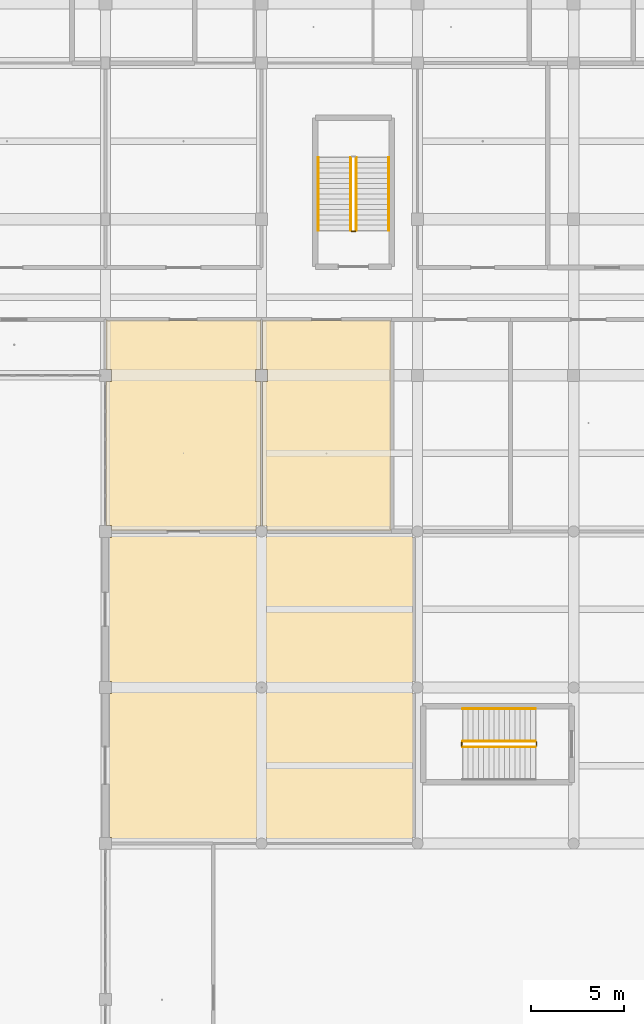
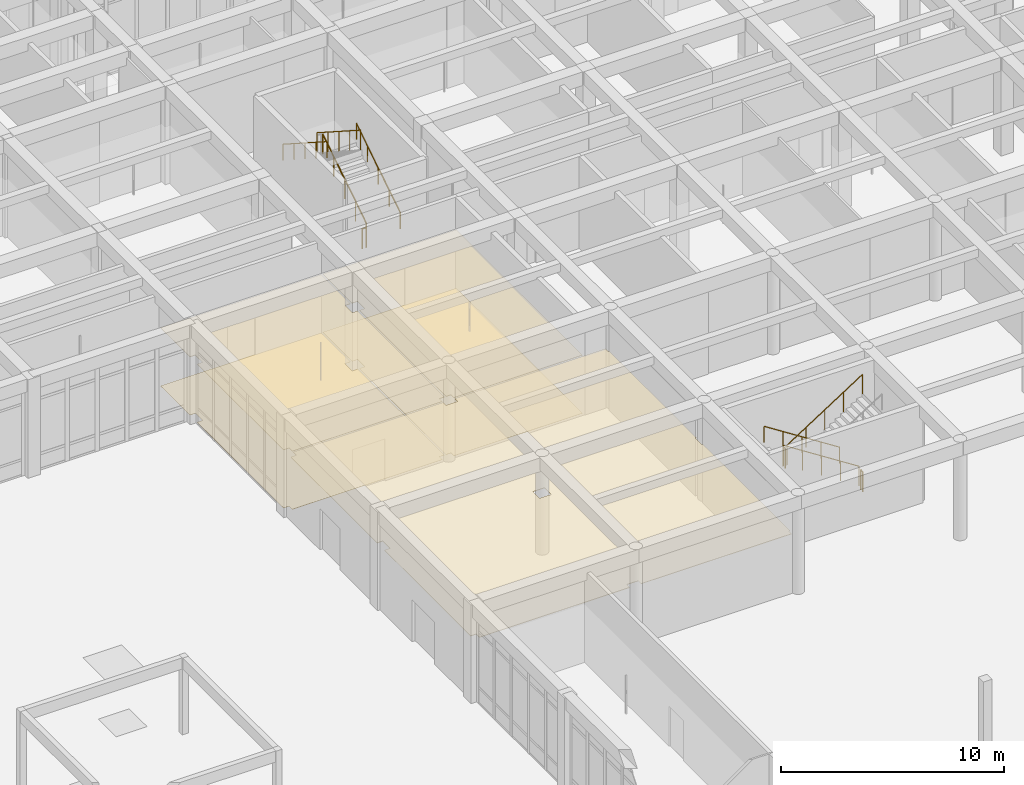
# One storey, part 153 of 167: 10 railings, 5 coverings.
"""IFC4 building model written with IfcOpenShell, lengths in metres."""

from ifc_helpers import new_model, si_unit, direction, frame, origin, origin_2d, place, context, subcontext, project, spatial, polyline, circle, outline, extrude, material, layer, layer_set, type_object, element, save


model = new_model("IFC4")

# Units and contexts
model_context = context("Model", 3, precision=1e-05, world=origin(), true_north=direction((0.0, 1.0)))
body_context = subcontext(model_context, "Body", "Model", "MODEL_VIEW")
ifc_project = project(units=[si_unit("LENGTHUNIT", "METRE"), si_unit("AREAUNIT", "SQUARE_METRE"), si_unit("VOLUMEUNIT", "CUBIC_METRE"), si_unit("PLANEANGLEUNIT", "RADIAN"), si_unit("MASSUNIT", "GRAM", prefix="KILO")], contexts=[model_context])

# Site, building, storey
site_placement = place(None, origin())
site = spatial("IfcSite", under=ifc_project, at=site_placement, CompositionType="ELEMENT")
building_placement = place(site_placement, origin())
building = spatial("IfcBuilding", under=site, at=building_placement, Name="Varncliffe General Hospital", CompositionType="ELEMENT")
storey_placement = place(building_placement, origin())
storey = spatial("IfcBuildingStorey", under=building, at=storey_placement, Name="L00", CompositionType="ELEMENT", Elevation=0.0)

# Coverings
ifc_material_1 = material(Name="Hygienic antimicrobial acoustic suspended ceiling tile", Category="gypsum")
ifc_layer_1 = layer(ifc_material_1, 0.02490234375)
ifc_layer_set_1 = layer_set([ifc_layer_1], Name="Hygienic antimicrobial acoustic suspended ceiling tile")
covering_type_1 = type_object("IfcCoveringType", Name="Antimicrobial Acoustic Suspended Ceiling CLG44", PredefinedType="CEILING", material=ifc_layer_set_1)
covering_1_placement = place(storey_placement, frame((0.0, 0.0, 3.175048828125)))
element("IfcCovering", 1, at=covering_1_placement, inside=storey, type_object=covering_type_1, Name="L00 Winter-Garden Diagnostic Reception Lounge Suspended Ceiling", PredefinedType="CEILING", context=body_context, shape_type="SweptSolid", body=[
    extrude(outline(polyline([(59.125, 57.639892578125), (59.125, 57.925048828125), (58.840087890625, 57.925048828125), (58.840087890625, 65.675048828125), (59.125, 65.675048828125), (59.125, 66.324951171875), (58.840087890625, 66.324951171875), (58.840087890625, 74.074951171875), (59.125, 74.074951171875), (59.125, 74.360107421875), (66.89990234375, 74.360107421875), (66.89990234375, 74.10009765625), (67.5, 74.10009765625), (67.5, 74.360107421875), (75.300048828125, 74.360107421875), (75.300048828125, 74.10009765625), (75.360107421875, 74.10009765625), (75.360107421875, 66.300048828125), (75.300048828125, 66.300048828125), (75.300048828125, 65.699951171875), (75.360107421875, 65.699951171875), (75.360107421875, 57.89990234375), (75.300048828125, 57.89990234375), (75.300048828125, 57.639892578125), (67.5, 57.639892578125), (67.5, 57.89990234375), (66.89990234375, 57.89990234375), (66.89990234375, 57.639892578125), (59.125, 57.639892578125)]), holes=[polyline([(67.5, 65.699951171875), (67.5, 66.300048828125), (66.89990234375, 66.300048828125), (66.89990234375, 65.699951171875), (67.5, 65.699951171875)])]), origin(), (0.0, 0.0, 1.0), 0.02490234375),
])
covering_2_placement = place(storey_placement, frame((0.0, 0.0, 3.175048828125)))
element("IfcCovering", 2, at=covering_2_placement, inside=storey, type_object=covering_type_1, Name="L00 Diagnostic Fluoroscopy and X-Ray Suite 68 Suspended Ceiling", PredefinedType="CEILING", context=body_context, shape_type="SweptSolid", body=[
    extrude(outline(polyline([(66.89990234375, 74.699951171875), (66.89990234375, 74.43994140625), (59.125, 74.43994140625), (59.125, 74.72509765625), (58.840087890625, 74.72509765625), (58.840087890625, 82.47509765625), (59.125, 82.47509765625), (59.125, 83.125), (58.840087890625, 83.125), (58.840087890625, 85.760009765625), (67.159912109375, 85.760009765625), (67.159912109375, 83.125), (66.875, 83.125), (66.875, 82.47509765625), (67.159912109375, 82.47509765625), (67.159912109375, 74.699951171875), (66.89990234375, 74.699951171875)])), origin(), (0.0, 0.0, 1.0), 0.02490234375),
])
covering_3_placement = place(storey_placement, frame((0.0, 0.0, 3.175048828125)))
element("IfcCovering", 3, at=covering_3_placement, inside=storey, type_object=covering_type_1, Name="L00 Sterile Dispatch and Surgical Prep Room 69 Suspended Ceiling", PredefinedType="CEILING", context=body_context, shape_type="SweptSolid", body=[
    extrude(outline(polyline([(74.159912109375, 85.760009765625), (74.159912109375, 74.43994140625), (67.5, 74.43994140625), (67.5, 74.699951171875), (67.239990234375, 74.699951171875), (67.239990234375, 82.47509765625), (67.52490234375, 82.47509765625), (67.52490234375, 83.125), (67.239990234375, 83.125), (67.239990234375, 85.760009765625), (74.159912109375, 85.760009765625)])), origin(), (0.0, 0.0, 1.0), 0.02490234375),
])
ifc_material_2 = material(Name="Seamless welded hospital sheet linoleum and terrazzo flooring", Category="linoleum")
ifc_layer_2 = layer(ifc_material_2, 0.011962890625)
ifc_layer_set_2 = layer_set([ifc_layer_2], Name="Seamless welded hospital sheet linoleum and terrazzo flooring")
covering_type_2 = type_object("IfcCoveringType", Name="Seamless Hospital Linoleum Flooring FLR19", PredefinedType="FLOORING", material=ifc_layer_set_2)
covering_4_placement = place(storey_placement, origin())
element("IfcCovering", 4, at=covering_4_placement, inside=storey, type_object=covering_type_2, Name="L00 Diagnostic Fluoroscopy and X-Ray Suite 68 Seamless Flooring", PredefinedType="FLOORING", context=body_context, shape_type="SweptSolid", body=[
    extrude(outline(polyline([(66.89990234375, 74.699951171875), (66.89990234375, 74.43994140625), (59.125, 74.43994140625), (59.125, 74.72509765625), (58.840087890625, 74.72509765625), (58.840087890625, 82.47509765625), (59.125, 82.47509765625), (59.125, 83.125), (58.840087890625, 83.125), (58.840087890625, 85.760009765625), (67.159912109375, 85.760009765625), (67.159912109375, 83.125), (66.875, 83.125), (66.875, 82.47509765625), (67.159912109375, 82.47509765625), (67.159912109375, 74.699951171875), (66.89990234375, 74.699951171875)])), origin(), (0.0, 0.0, 1.0), 0.011962890625),
])
covering_5_placement = place(storey_placement, origin())
element("IfcCovering", 5, at=covering_5_placement, inside=storey, type_object=covering_type_2, Name="L00 Sterile Dispatch and Surgical Prep Room 69 Seamless Flooring", PredefinedType="FLOORING", context=body_context, shape_type="SweptSolid", body=[
    extrude(outline(polyline([(74.159912109375, 85.760009765625), (74.159912109375, 74.43994140625), (67.5, 74.43994140625), (67.5, 74.699951171875), (67.239990234375, 74.699951171875), (67.239990234375, 82.47509765625), (67.52490234375, 82.47509765625), (67.52490234375, 83.125), (67.239990234375, 83.125), (67.239990234375, 85.760009765625), (74.159912109375, 85.760009765625)])), origin(), (0.0, 0.0, 1.0), 0.011962890625),
])

# Railings
ifc_material_3 = material(Name="Powder-coated hospital steel guardrail and handrail", Category="steel")
railing_type_1 = type_object("IfcRailingType", Name="Stair and Ramp Handrail HR46", PredefinedType="HANDRAIL", material=ifc_material_3)
railing_1_placement = place(storey_placement, frame((74.050048828125, 90.60009765625, 0.364013671875)))
element("IfcRailing", 6, at=railing_1_placement, inside=storey, type_object=railing_type_1, Name="L00 ST12 stair handrail 1", PredefinedType="HANDRAIL", context=body_context, shape_type="SweptSolid", body=[
    extrude(circle(Radius=0.02392578125, at=origin_2d()), frame((0.0, 0.0, 0.8759765625), z_axis=(0.0, 0.841171666519, 0.540768182723), x_axis=(-1.0, 0.0, 0.0)), (0.0, 0.0, 1.0), 4.66015625),
    extrude(circle(Radius=0.02099609375, at=origin_2d()), origin(), (0.0, 0.0, 1.0), 0.851806640625),
    extrude(circle(Radius=0.02099609375, at=origin_2d()), frame((0.0, 0.97998046875, 0.6298828125)), (0.0, 0.0, 1.0), 0.851806640625),
    extrude(circle(Radius=0.02099609375, at=origin_2d()), frame((0.0, 1.9599609375, 1.260009765625)), (0.0, 0.0, 1.0), 0.851806640625),
    extrude(circle(Radius=0.02099609375, at=origin_2d()), frame((0.0, 2.93994140625, 1.89013671875)), (0.0, 0.0, 1.0), 0.851806640625),
    extrude(circle(Radius=0.02099609375, at=origin_2d()), frame((0.0, 3.919921875, 2.52001953125)), (0.0, 0.0, 1.0), 0.851806640625),
])
railing_2_placement = place(storey_placement, frame((70.25, 94.52001953125, 3.06396484375)))
element("IfcRailing", 7, at=railing_2_placement, inside=storey, type_object=railing_type_1, Name="L00 ST12 stair handrail 2", PredefinedType="HANDRAIL", context=body_context, shape_type="SweptSolid", body=[
    extrude(circle(Radius=0.02392578125, at=origin_2d()), frame((0.0, 0.0, 0.8759765625), z_axis=(0.0, -0.841171666519, 0.540768182723), x_axis=(1.0, 0.0, 0.0)), (0.0, 0.0, 1.0), 4.66015625),
    extrude(circle(Radius=0.02099609375, at=origin_2d()), origin(), (0.0, 0.0, 1.0), 0.851806640625),
    extrude(circle(Radius=0.02099609375, at=origin_2d()), frame((0.0, -0.97998046875, 0.6298828125)), (0.0, 0.0, 1.0), 0.851806640625),
    extrude(circle(Radius=0.02099609375, at=origin_2d()), frame((0.0, -1.9599609375, 1.260009765625)), (0.0, 0.0, 1.0), 0.851806640625),
    extrude(circle(Radius=0.02099609375, at=origin_2d()), frame((0.0, -2.93994140625, 1.89013671875)), (0.0, 0.0, 1.0), 0.851806640625),
    extrude(circle(Radius=0.02099609375, at=origin_2d()), frame((0.0, -3.919921875, 2.52001953125)), (0.0, 0.0, 1.0), 0.851806640625),
])
railing_3_placement = place(storey_placement, frame((81.949951171875, 64.85009765625, 0.364013671875)))
element("IfcRailing", 8, at=railing_3_placement, inside=storey, type_object=railing_type_1, Name="L00 ST16 stair handrail 1", PredefinedType="HANDRAIL", context=body_context, shape_type="SweptSolid", body=[
    extrude(circle(Radius=0.02392578125, at=origin_2d()), frame((0.0, 0.0, 0.8759765625), z_axis=(-0.841171666519, 0.0, 0.540768182723), x_axis=(0.0, -1.0, 0.0)), (0.0, 0.0, 1.0), 4.66015625),
    extrude(circle(Radius=0.02099609375, at=origin_2d()), origin(), (0.0, 0.0, 1.0), 0.851806640625),
    extrude(circle(Radius=0.02099609375, at=origin_2d()), frame((-0.97998046875, 0.0, 0.6298828125)), (0.0, 0.0, 1.0), 0.851806640625),
    extrude(circle(Radius=0.02099609375, at=origin_2d()), frame((-1.9599609375, 0.0, 1.260009765625)), (0.0, 0.0, 1.0), 0.851806640625),
    extrude(circle(Radius=0.02099609375, at=origin_2d()), frame((-2.93994140625, 0.0, 1.89013671875)), (0.0, 0.0, 1.0), 0.851806640625),
    extrude(circle(Radius=0.02099609375, at=origin_2d()), frame((-3.919921875, 0.0, 2.52001953125)), (0.0, 0.0, 1.0), 0.851806640625),
])
railing_type_2 = type_object("IfcRailingType", Name="Stairwell Guardrail SG49", PredefinedType="GUARDRAIL", material=ifc_material_3)
railing_4_placement = place(storey_placement, frame((72.300048828125, 90.60009765625, 0.179931640625)))
element("IfcRailing", 9, at=railing_4_placement, inside=storey, type_object=railing_type_2, Name="L00 ST12 stair guard 1", PredefinedType="GUARDRAIL", context=body_context, shape_type="SweptSolid", body=[
    extrude(circle(Radius=0.02392578125, at=origin_2d()), frame((0.0, 0.0, 1.076171875), z_axis=(0.0, 0.841171666519, 0.540768182723), x_axis=(-1.0, 0.0, 0.0)), (0.0, 0.0, 1.0), 4.66015625),
    extrude(circle(Radius=0.02099609375, at=origin_2d()), origin(), (0.0, 0.0, 1.0), 1.052001953125),
    extrude(circle(Radius=0.02099609375, at=origin_2d()), frame((0.0, 0.97998046875, 0.6298828125)), (0.0, 0.0, 1.0), 1.052001953125),
    extrude(circle(Radius=0.02099609375, at=origin_2d()), frame((0.0, 1.9599609375, 1.260009765625)), (0.0, 0.0, 1.0), 1.052001953125),
    extrude(circle(Radius=0.02099609375, at=origin_2d()), frame((0.0, 2.93994140625, 1.89013671875)), (0.0, 0.0, 1.0), 1.052001953125),
    extrude(circle(Radius=0.02099609375, at=origin_2d()), frame((0.0, 3.919921875, 2.52001953125)), (0.0, 0.0, 1.0), 1.052001953125),
])
railing_5_placement = place(storey_placement, frame((72.0, 94.52001953125, 2.8798828125)))
element("IfcRailing", 10, at=railing_5_placement, inside=storey, type_object=railing_type_2, Name="L00 ST12 stair guard 3", PredefinedType="GUARDRAIL", context=body_context, shape_type="SweptSolid", body=[
    extrude(circle(Radius=0.02392578125, at=origin_2d()), frame((0.0, 0.0, 1.076171875), z_axis=(0.0, -0.841171666519, 0.540768182723), x_axis=(1.0, 0.0, 0.0)), (0.0, 0.0, 1.0), 4.66015625),
    extrude(circle(Radius=0.02099609375, at=origin_2d()), origin(), (0.0, 0.0, 1.0), 1.052001953125),
    extrude(circle(Radius=0.02099609375, at=origin_2d()), frame((0.0, -0.97998046875, 0.6298828125)), (0.0, 0.0, 1.0), 1.052001953125),
    extrude(circle(Radius=0.02099609375, at=origin_2d()), frame((0.0, -1.9599609375, 1.260009765625)), (0.0, 0.0, 1.0), 1.052001953125),
    extrude(circle(Radius=0.02099609375, at=origin_2d()), frame((0.0, -2.93994140625, 1.89013671875)), (0.0, 0.0, 1.0), 1.052001953125),
    extrude(circle(Radius=0.02099609375, at=origin_2d()), frame((0.0, -3.919921875, 2.52001953125)), (0.0, 0.0, 1.0), 1.052001953125),
])
railing_6_placement = place(storey_placement, frame((72.25, 90.550048828125, 0.0)))
element("IfcRailing", 11, at=railing_6_placement, inside=storey, type_object=railing_type_2, Name="L00 ST12 stair guard 4", PredefinedType="GUARDRAIL", context=body_context, shape_type="SweptSolid", body=[
    extrude(circle(Radius=0.02392578125, at=origin_2d()), frame((0.0, 0.0, 1.076171875), z_axis=(-1.0, 0.0, 0.0), x_axis=(0.0, -1.0, 0.0)), (0.0, 0.0, 1.0), 0.199951171875),
    extrude(circle(Radius=0.02099609375, at=origin_2d()), origin(), (0.0, 0.0, 1.0), 1.052001953125),
    extrude(circle(Radius=0.02099609375, at=origin_2d()), frame((-0.199951171875, 0.0, 0.0)), (0.0, 0.0, 1.0), 1.052001953125),
])
railing_7_placement = place(storey_placement, frame((81.949951171875, 63.10009765625, 0.179931640625)))
element("IfcRailing", 12, at=railing_7_placement, inside=storey, type_object=railing_type_2, Name="L00 ST16 stair guard 1", PredefinedType="GUARDRAIL", context=body_context, shape_type="SweptSolid", body=[
    extrude(circle(Radius=0.02392578125, at=origin_2d()), frame((0.0, 0.0, 1.076171875), z_axis=(-0.841171666519, 0.0, 0.540768182723), x_axis=(0.0, -1.0, 0.0)), (0.0, 0.0, 1.0), 4.66015625),
    extrude(circle(Radius=0.02099609375, at=origin_2d()), origin(), (0.0, 0.0, 1.0), 1.052001953125),
    extrude(circle(Radius=0.02099609375, at=origin_2d()), frame((-0.97998046875, 0.0, 0.6298828125)), (0.0, 0.0, 1.0), 1.052001953125),
    extrude(circle(Radius=0.02099609375, at=origin_2d()), frame((-1.9599609375, 0.0, 1.260009765625)), (0.0, 0.0, 1.0), 1.052001953125),
    extrude(circle(Radius=0.02099609375, at=origin_2d()), frame((-2.93994140625, 0.0, 1.89013671875)), (0.0, 0.0, 1.0), 1.052001953125),
    extrude(circle(Radius=0.02099609375, at=origin_2d()), frame((-3.919921875, 0.0, 2.52001953125)), (0.0, 0.0, 1.0), 1.052001953125),
])
railing_8_placement = place(storey_placement, frame((77.97998046875, 63.050048828125, 2.699951171875)))
element("IfcRailing", 13, at=railing_8_placement, inside=storey, type_object=railing_type_2, Name="L00 ST16 stair guard 2", PredefinedType="GUARDRAIL", context=body_context, shape_type="SweptSolid", body=[
    extrude(circle(Radius=0.02392578125, at=origin_2d()), frame((0.0, 0.0, 1.076171875), z_axis=(0.0, -1.0, 0.0), x_axis=(1.0, 0.0, 0.0)), (0.0, 0.0, 1.0), 0.199951171875),
    extrude(circle(Radius=0.02099609375, at=origin_2d()), origin(), (0.0, 0.0, 1.0), 1.052001953125),
    extrude(circle(Radius=0.02099609375, at=origin_2d()), frame((0.0, -0.199951171875, 0.0)), (0.0, 0.0, 1.0), 1.052001953125),
])
railing_9_placement = place(storey_placement, frame((78.030029296875, 62.800048828125, 2.8798828125)))
element("IfcRailing", 14, at=railing_9_placement, inside=storey, type_object=railing_type_2, Name="L00 ST16 stair guard 3", PredefinedType="GUARDRAIL", context=body_context, shape_type="SweptSolid", body=[
    extrude(circle(Radius=0.02392578125, at=origin_2d()), frame((0.0, 0.0, 1.076171875), z_axis=(0.841171666519, 0.0, 0.540768182723), x_axis=(0.0, 1.0, 0.0)), (0.0, 0.0, 1.0), 4.66015625),
    extrude(circle(Radius=0.02099609375, at=origin_2d()), origin(), (0.0, 0.0, 1.0), 1.052001953125),
    extrude(circle(Radius=0.02099609375, at=origin_2d()), frame((0.97998046875, 0.0, 0.6298828125)), (0.0, 0.0, 1.0), 1.052001953125),
    extrude(circle(Radius=0.02099609375, at=origin_2d()), frame((1.9599609375, 0.0, 1.260009765625)), (0.0, 0.0, 1.0), 1.052001953125),
    extrude(circle(Radius=0.02099609375, at=origin_2d()), frame((2.93994140625, 0.0, 1.89013671875)), (0.0, 0.0, 1.0), 1.052001953125),
    extrude(circle(Radius=0.02099609375, at=origin_2d()), frame((3.919921875, 0.0, 2.52001953125)), (0.0, 0.0, 1.0), 1.052001953125),
])
railing_10_placement = place(storey_placement, frame((82.0, 63.050048828125, 0.0)))
element("IfcRailing", 15, at=railing_10_placement, inside=storey, type_object=railing_type_2, Name="L00 ST16 stair guard 4", PredefinedType="GUARDRAIL", context=body_context, shape_type="SweptSolid", body=[
    extrude(circle(Radius=0.02392578125, at=origin_2d()), frame((0.0, 0.0, 1.076171875), z_axis=(0.0, -1.0, 0.0), x_axis=(1.0, 0.0, 0.0)), (0.0, 0.0, 1.0), 0.199951171875),
    extrude(circle(Radius=0.02099609375, at=origin_2d()), origin(), (0.0, 0.0, 1.0), 1.052001953125),
    extrude(circle(Radius=0.02099609375, at=origin_2d()), frame((0.0, -0.199951171875, 0.0)), (0.0, 0.0, 1.0), 1.052001953125),
])

save(model, "model.ifc")
